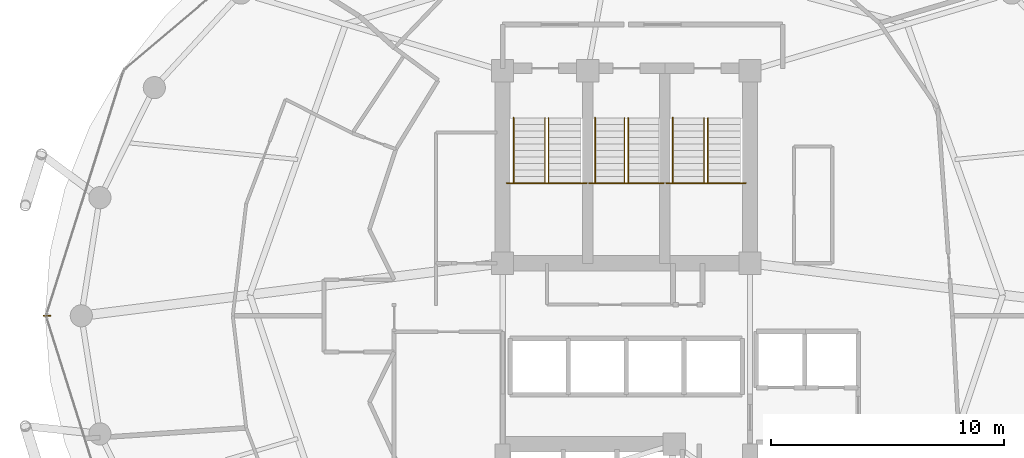
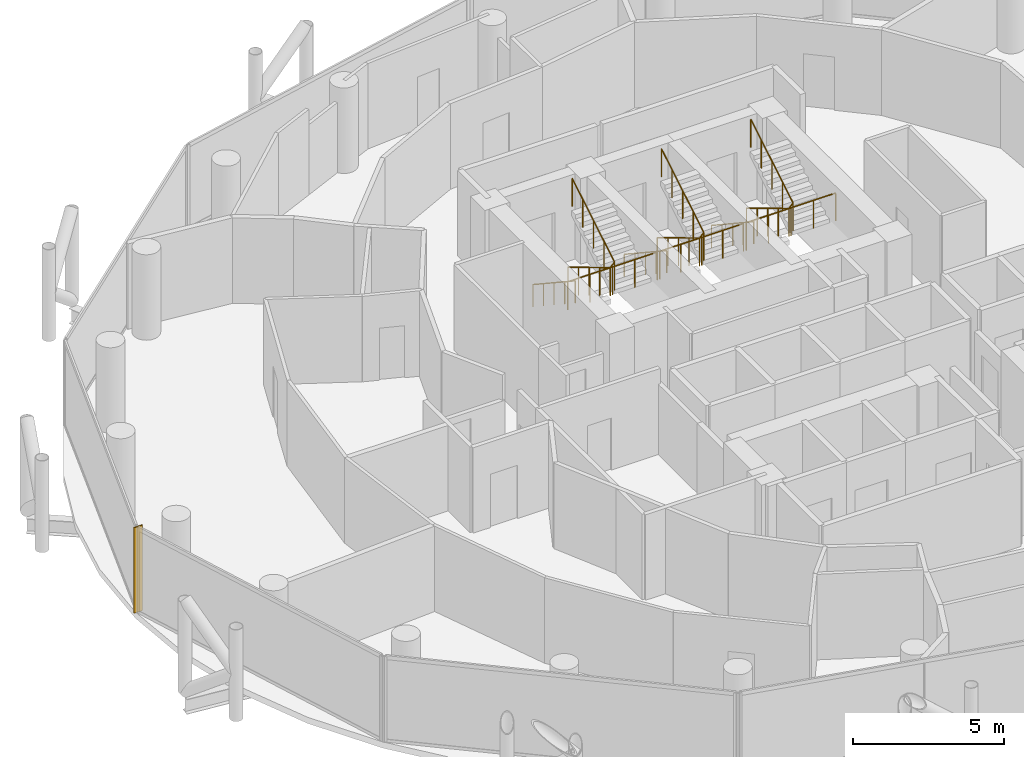
# One storey, part 26 of 27: 9 railings, 1 shading device.
"""IFC4 building model written with IfcOpenShell, lengths in metres."""

from ifc_helpers import new_model, si_unit, direction, frame, origin, origin_2d, place, context, subcontext, project, spatial, polyline, rectangle, outline, extrude, material, layer, layer_set, type_object, element, save


model = new_model("IFC4")

# Units and contexts
model_context = context("Model", 3, precision=1e-05, world=origin(), true_north=direction((0.0, 1.0)))
body_context = subcontext(model_context, "Body", "Model", "MODEL_VIEW")
ifc_project = project(units=[si_unit("LENGTHUNIT", "METRE"), si_unit("AREAUNIT", "SQUARE_METRE"), si_unit("VOLUMEUNIT", "CUBIC_METRE"), si_unit("PLANEANGLEUNIT", "RADIAN"), si_unit("MASSUNIT", "GRAM", prefix="KILO")], contexts=[model_context])

# Site, building, storey
site_placement = place(None, origin())
site = spatial("IfcSite", under=ifc_project, at=site_placement, CompositionType="ELEMENT")
building_placement = place(site_placement, origin())
building = spatial("IfcBuilding", under=site, at=building_placement, Name="Nuhasar Tower", CompositionType="ELEMENT")
storey_placement = place(building_placement, frame((0.0, 0.0, 158.949951171875)))
storey = spatial("IfcBuildingStorey", under=building, at=storey_placement, Name="L38", CompositionType="ELEMENT", Elevation=158.949951171875)

# Railings
ifc_material_1 = material(Name="Steel S355", Category="steel")
railing_type_1 = type_object("IfcRailingType", Name="RLG-STAIR-GUARD-1150", PredefinedType="GUARDRAIL", material=ifc_material_1)
railing_1_placement = place(storey_placement, frame((33.8798828125, 32.485107421875, 1.85009765625)))
element("IfcRailing", 1, at=railing_1_placement, inside=storey, type_object=railing_type_1, Name="L38 Stair ST-01 Guardrail LND", PredefinedType="GUARDRAIL", context=body_context, shape_type="SweptSolid", body=[
    extrude(outline(polyline([(0.024169921875, 0.0), (0.01708984375, 0.01708984375), (0.0, 0.024169921875), (-0.01708984375, 0.01708984375), (-0.024169921875, 0.0), (-0.01708984375, -0.01708984375), (0.0, -0.024169921875), (0.01708984375, -0.01708984375), (0.024169921875, 0.0)])), frame((0.0, 0.0, 1.1259765625), z_axis=(1.0, 0.0, 0.0), x_axis=(0.0, 1.0, 0.0)), (0.0, 0.0, 1.0), 3.420166015625),
    extrude(outline(polyline([(0.02099609375, 0.0), (0.014892578125, 0.014892578125), (0.0, 0.02099609375), (-0.014892578125, 0.014892578125), (-0.02099609375, 0.0), (-0.014892578125, -0.014892578125), (0.0, -0.02099609375), (0.014892578125, -0.014892578125), (0.02099609375, 0.0)])), origin(), (0.0, 0.0, 1.0), 1.101806640625),
    extrude(outline(polyline([(0.02099609375, 0.0), (0.014892578125, 0.014892578125), (0.0, 0.02099609375), (-0.014892578125, 0.014892578125), (-0.02099609375, 0.0), (-0.014892578125, -0.014892578125), (0.0, -0.02099609375), (0.014892578125, -0.014892578125), (0.02099609375, 0.0)])), frame((0.85498046875, 0.0, 0.0)), (0.0, 0.0, 1.0), 1.101806640625),
    extrude(outline(polyline([(0.02099609375, 0.0), (0.014892578125, 0.014892578125), (0.0, 0.02099609375), (-0.014892578125, 0.014892578125), (-0.02099609375, 0.0), (-0.014892578125, -0.014892578125), (0.0, -0.02099609375), (0.014892578125, -0.014892578125), (0.02099609375, 0.0)])), frame((1.7099609375, 0.0, 0.0)), (0.0, 0.0, 1.0), 1.101806640625),
    extrude(outline(polyline([(0.02099609375, 0.0), (0.014892578125, 0.014892578125), (0.0, 0.02099609375), (-0.014892578125, 0.014892578125), (-0.02099609375, 0.0), (-0.014892578125, -0.014892578125), (0.0, -0.02099609375), (0.014892578125, -0.014892578125), (0.02099609375, 0.0)])), frame((2.565185546875, 0.0, 0.0)), (0.0, 0.0, 1.0), 1.101806640625),
    extrude(outline(polyline([(0.02099609375, 0.0), (0.014892578125, 0.014892578125), (0.0, 0.02099609375), (-0.014892578125, 0.014892578125), (-0.02099609375, 0.0), (-0.014892578125, -0.014892578125), (0.0, -0.02099609375), (0.014892578125, -0.014892578125), (0.02099609375, 0.0)])), frame((3.420166015625, 0.0, 0.0)), (0.0, 0.0, 1.0), 1.101806640625),
])
railing_2_placement = place(storey_placement, frame((35.510009765625, 35.284912109375, 0.16796875)))
element("IfcRailing", 2, at=railing_2_placement, inside=storey, type_object=railing_type_1, Name="L38 Stair ST-01 Guardrail SLT", PredefinedType="GUARDRAIL", context=body_context, shape_type="SweptSolid", body=[
    extrude(outline(polyline([(0.024169921875, 0.0), (0.01708984375, 0.01708984375), (0.0, 0.024169921875), (-0.01708984375, 0.01708984375), (-0.024169921875, 0.0), (-0.01708984375, -0.01708984375), (0.0, -0.024169921875), (0.01708984375, -0.01708984375), (0.024169921875, 0.0)])), frame((0.0, 0.0, 1.1259765625), z_axis=(0.0, -0.857189395008, 0.515001302023), x_axis=(1.0, 0.0, 0.0)), (0.0, 0.0, 1.0), 3.266357421875),
    extrude(outline(polyline([(0.024169921875, 0.0), (0.01708984375, 0.01708984375), (0.0, 0.024169921875), (-0.01708984375, 0.01708984375), (-0.024169921875, 0.0), (-0.01708984375, -0.01708984375), (0.0, -0.024169921875), (0.01708984375, -0.01708984375), (0.024169921875, 0.0)])), frame((0.0, -2.7998046875, 2.80810546875), z_axis=(0.689523729023, 0.0, 0.72426309247), x_axis=(0.0, 1.0, 0.0)), (0.0, 0.0, 1.0), 0.23193359375),
    extrude(outline(polyline([(0.024169921875, 0.0), (0.01708984375, 0.01708984375), (0.0, 0.024169921875), (-0.01708984375, 0.01708984375), (-0.024169921875, 0.0), (-0.01708984375, -0.01708984375), (0.0, -0.024169921875), (0.01708984375, -0.01708984375), (0.024169921875, 0.0)])), frame((0.159912109375, -2.7998046875, 2.97607421875), z_axis=(0.0, 0.857222391501, 0.514946377315), x_axis=(-1.0, 0.0, 0.0)), (0.0, 0.0, 1.0), 3.26611328125),
    extrude(outline(polyline([(0.02099609375, 0.0), (0.014892578125, 0.014892578125), (0.0, 0.02099609375), (-0.014892578125, 0.014892578125), (-0.02099609375, 0.0), (-0.014892578125, -0.014892578125), (0.0, -0.02099609375), (0.014892578125, -0.014892578125), (0.02099609375, 0.0)])), origin(), (0.0, 0.0, 1.0), 1.101806640625),
    extrude(outline(polyline([(0.02099609375, 0.0), (0.014892578125, 0.014892578125), (0.0, 0.02099609375), (-0.014892578125, 0.014892578125), (-0.02099609375, 0.0), (-0.014892578125, -0.014892578125), (0.0, -0.02099609375), (0.014892578125, -0.014892578125), (0.02099609375, 0.0)])), frame((0.0, -0.699951171875, 0.42041015625)), (0.0, 0.0, 1.0), 1.101806640625),
    extrude(outline(polyline([(0.02099609375, 0.0), (0.014892578125, 0.014892578125), (0.0, 0.02099609375), (-0.014892578125, 0.014892578125), (-0.02099609375, 0.0), (-0.014892578125, -0.014892578125), (0.0, -0.02099609375), (0.014892578125, -0.014892578125), (0.02099609375, 0.0)])), frame((0.0, -1.39990234375, 0.841064453125)), (0.0, 0.0, 1.0), 1.101806640625),
    extrude(outline(polyline([(0.02099609375, 0.0), (0.014892578125, 0.014892578125), (0.0, 0.02099609375), (-0.014892578125, 0.014892578125), (-0.02099609375, 0.0), (-0.014892578125, -0.014892578125), (0.0, -0.02099609375), (0.014892578125, -0.014892578125), (0.02099609375, 0.0)])), frame((0.0, -2.099853515625, 1.26171875)), (0.0, 0.0, 1.0), 1.101806640625),
    extrude(outline(polyline([(0.02099609375, 0.0), (0.014892578125, 0.014892578125), (0.0, 0.02099609375), (-0.014892578125, 0.014892578125), (-0.02099609375, 0.0), (-0.014892578125, -0.014892578125), (0.0, -0.02099609375), (0.014892578125, -0.014892578125), (0.02099609375, 0.0)])), frame((0.0, -2.7998046875, 1.68212890625)), (0.0, 0.0, 1.0), 1.101806640625),
    extrude(outline(polyline([(0.02099609375, 0.0), (0.014892578125, 0.014892578125), (0.0, 0.02099609375), (-0.014892578125, 0.014892578125), (-0.02099609375, 0.0), (-0.014892578125, -0.014892578125), (0.0, -0.02099609375), (0.014892578125, -0.014892578125), (0.02099609375, 0.0)])), frame((0.159912109375, -2.7998046875, 1.85009765625)), (0.0, 0.0, 1.0), 1.101806640625),
    extrude(outline(polyline([(0.02099609375, 0.0), (0.014892578125, 0.014892578125), (0.0, 0.02099609375), (-0.014892578125, 0.014892578125), (-0.02099609375, 0.0), (-0.014892578125, -0.014892578125), (0.0, -0.02099609375), (0.014892578125, -0.014892578125), (0.02099609375, 0.0)])), frame((0.159912109375, -2.099853515625, 2.2705078125)), (0.0, 0.0, 1.0), 1.101806640625),
    extrude(outline(polyline([(0.02099609375, 0.0), (0.014892578125, 0.014892578125), (0.0, 0.02099609375), (-0.014892578125, 0.014892578125), (-0.02099609375, 0.0), (-0.014892578125, -0.014892578125), (0.0, -0.02099609375), (0.014892578125, -0.014892578125), (0.02099609375, 0.0)])), frame((0.159912109375, -1.39990234375, 2.69091796875)), (0.0, 0.0, 1.0), 1.101806640625),
    extrude(outline(polyline([(0.02099609375, 0.0), (0.014892578125, 0.014892578125), (0.0, 0.02099609375), (-0.014892578125, 0.014892578125), (-0.02099609375, 0.0), (-0.014892578125, -0.014892578125), (0.0, -0.02099609375), (0.014892578125, -0.014892578125), (0.02099609375, 0.0)])), frame((0.159912109375, -0.699951171875, 3.111572265625)), (0.0, 0.0, 1.0), 1.101806640625),
    extrude(outline(polyline([(0.02099609375, 0.0), (0.014892578125, 0.014892578125), (0.0, 0.02099609375), (-0.014892578125, 0.014892578125), (-0.02099609375, 0.0), (-0.014892578125, -0.014892578125), (0.0, -0.02099609375), (0.014892578125, -0.014892578125), (0.02099609375, 0.0)])), frame((0.159912109375, 0.0, 3.531982421875)), (0.0, 0.0, 1.0), 1.101806640625),
])
railing_3_placement = place(storey_placement, frame((37.39990234375, 32.485107421875, 1.85009765625)))
element("IfcRailing", 3, at=railing_3_placement, inside=storey, type_object=railing_type_1, Name="L38 Stair ST-03 Guardrail LND", PredefinedType="GUARDRAIL", context=body_context, shape_type="SweptSolid", body=[
    extrude(outline(polyline([(0.024169921875, 0.0), (0.01708984375, 0.01708984375), (0.0, 0.024169921875), (-0.01708984375, 0.01708984375), (-0.024169921875, 0.0), (-0.01708984375, -0.01708984375), (0.0, -0.024169921875), (0.01708984375, -0.01708984375), (0.024169921875, 0.0)])), frame((0.0, 0.0, 1.1259765625), z_axis=(1.0, 0.0, 0.0), x_axis=(0.0, 1.0, 0.0)), (0.0, 0.0, 1.0), 3.2001953125),
    extrude(outline(polyline([(0.02099609375, 0.0), (0.014892578125, 0.014892578125), (0.0, 0.02099609375), (-0.014892578125, 0.014892578125), (-0.02099609375, 0.0), (-0.014892578125, -0.014892578125), (0.0, -0.02099609375), (0.014892578125, -0.014892578125), (0.02099609375, 0.0)])), origin(), (0.0, 0.0, 1.0), 1.101806640625),
    extrude(outline(polyline([(0.02099609375, 0.0), (0.014892578125, 0.014892578125), (0.0, 0.02099609375), (-0.014892578125, 0.014892578125), (-0.02099609375, 0.0), (-0.014892578125, -0.014892578125), (0.0, -0.02099609375), (0.014892578125, -0.014892578125), (0.02099609375, 0.0)])), frame((0.800048828125, 0.0, 0.0)), (0.0, 0.0, 1.0), 1.101806640625),
    extrude(outline(polyline([(0.02099609375, 0.0), (0.014892578125, 0.014892578125), (0.0, 0.02099609375), (-0.014892578125, 0.014892578125), (-0.02099609375, 0.0), (-0.014892578125, -0.014892578125), (0.0, -0.02099609375), (0.014892578125, -0.014892578125), (0.02099609375, 0.0)])), frame((1.60009765625, 0.0, 0.0)), (0.0, 0.0, 1.0), 1.101806640625),
    extrude(outline(polyline([(0.02099609375, 0.0), (0.014892578125, 0.014892578125), (0.0, 0.02099609375), (-0.014892578125, 0.014892578125), (-0.02099609375, 0.0), (-0.014892578125, -0.014892578125), (0.0, -0.02099609375), (0.014892578125, -0.014892578125), (0.02099609375, 0.0)])), frame((2.400146484375, 0.0, 0.0)), (0.0, 0.0, 1.0), 1.101806640625),
    extrude(outline(polyline([(0.02099609375, 0.0), (0.014892578125, 0.014892578125), (0.0, 0.02099609375), (-0.014892578125, 0.014892578125), (-0.02099609375, 0.0), (-0.014892578125, -0.014892578125), (0.0, -0.02099609375), (0.014892578125, -0.014892578125), (0.02099609375, 0.0)])), frame((3.2001953125, 0.0, 0.0)), (0.0, 0.0, 1.0), 1.101806640625),
])
railing_4_placement = place(storey_placement, frame((38.919921875, 35.284912109375, 0.16796875)))
element("IfcRailing", 4, at=railing_4_placement, inside=storey, type_object=railing_type_1, Name="L38 Stair ST-03 Guardrail SLT", PredefinedType="GUARDRAIL", context=body_context, shape_type="SweptSolid", body=[
    extrude(outline(polyline([(0.024169921875, 0.0), (0.01708984375, 0.01708984375), (0.0, 0.024169921875), (-0.01708984375, 0.01708984375), (-0.024169921875, 0.0), (-0.01708984375, -0.01708984375), (0.0, -0.024169921875), (0.01708984375, -0.01708984375), (0.024169921875, 0.0)])), frame((0.0, 0.0, 1.1259765625), z_axis=(0.0, -0.857189395008, 0.515001302023), x_axis=(1.0, 0.0, 0.0)), (0.0, 0.0, 1.0), 3.266357421875),
    extrude(outline(polyline([(0.024169921875, 0.0), (0.01708984375, 0.01708984375), (0.0, 0.024169921875), (-0.01708984375, 0.01708984375), (-0.024169921875, 0.0), (-0.01708984375, -0.01708984375), (0.0, -0.024169921875), (0.01708984375, -0.01708984375), (0.024169921875, 0.0)])), frame((0.0, -2.7998046875, 2.80810546875), z_axis=(0.690075333573, 0.0, 0.723737544967), x_axis=(0.0, 1.0, 0.0)), (0.0, 0.0, 1.0), 0.232177734375),
    extrude(outline(polyline([(0.024169921875, 0.0), (0.01708984375, 0.01708984375), (0.0, 0.024169921875), (-0.01708984375, 0.01708984375), (-0.024169921875, 0.0), (-0.01708984375, -0.01708984375), (0.0, -0.024169921875), (0.01708984375, -0.01708984375), (0.024169921875, 0.0)])), frame((0.16015625, -2.7998046875, 2.97607421875), z_axis=(0.0, 0.857222391501, 0.514946377315), x_axis=(-1.0, 0.0, 0.0)), (0.0, 0.0, 1.0), 3.26611328125),
    extrude(outline(polyline([(0.02099609375, 0.0), (0.014892578125, 0.014892578125), (0.0, 0.02099609375), (-0.014892578125, 0.014892578125), (-0.02099609375, 0.0), (-0.014892578125, -0.014892578125), (0.0, -0.02099609375), (0.014892578125, -0.014892578125), (0.02099609375, 0.0)])), origin(), (0.0, 0.0, 1.0), 1.101806640625),
    extrude(outline(polyline([(0.02099609375, 0.0), (0.014892578125, 0.014892578125), (0.0, 0.02099609375), (-0.014892578125, 0.014892578125), (-0.02099609375, 0.0), (-0.014892578125, -0.014892578125), (0.0, -0.02099609375), (0.014892578125, -0.014892578125), (0.02099609375, 0.0)])), frame((0.0, -0.699951171875, 0.42041015625)), (0.0, 0.0, 1.0), 1.101806640625),
    extrude(outline(polyline([(0.02099609375, 0.0), (0.014892578125, 0.014892578125), (0.0, 0.02099609375), (-0.014892578125, 0.014892578125), (-0.02099609375, 0.0), (-0.014892578125, -0.014892578125), (0.0, -0.02099609375), (0.014892578125, -0.014892578125), (0.02099609375, 0.0)])), frame((0.0, -1.39990234375, 0.841064453125)), (0.0, 0.0, 1.0), 1.101806640625),
    extrude(outline(polyline([(0.02099609375, 0.0), (0.014892578125, 0.014892578125), (0.0, 0.02099609375), (-0.014892578125, 0.014892578125), (-0.02099609375, 0.0), (-0.014892578125, -0.014892578125), (0.0, -0.02099609375), (0.014892578125, -0.014892578125), (0.02099609375, 0.0)])), frame((0.0, -2.099853515625, 1.26171875)), (0.0, 0.0, 1.0), 1.101806640625),
    extrude(outline(polyline([(0.02099609375, 0.0), (0.014892578125, 0.014892578125), (0.0, 0.02099609375), (-0.014892578125, 0.014892578125), (-0.02099609375, 0.0), (-0.014892578125, -0.014892578125), (0.0, -0.02099609375), (0.014892578125, -0.014892578125), (0.02099609375, 0.0)])), frame((0.0, -2.7998046875, 1.68212890625)), (0.0, 0.0, 1.0), 1.101806640625),
    extrude(outline(polyline([(0.02099609375, 0.0), (0.014892578125, 0.014892578125), (0.0, 0.02099609375), (-0.014892578125, 0.014892578125), (-0.02099609375, 0.0), (-0.014892578125, -0.014892578125), (0.0, -0.02099609375), (0.014892578125, -0.014892578125), (0.02099609375, 0.0)])), frame((0.16015625, -2.7998046875, 1.85009765625)), (0.0, 0.0, 1.0), 1.101806640625),
    extrude(outline(polyline([(0.02099609375, 0.0), (0.014892578125, 0.014892578125), (0.0, 0.02099609375), (-0.014892578125, 0.014892578125), (-0.02099609375, 0.0), (-0.014892578125, -0.014892578125), (0.0, -0.02099609375), (0.014892578125, -0.014892578125), (0.02099609375, 0.0)])), frame((0.16015625, -2.099853515625, 2.2705078125)), (0.0, 0.0, 1.0), 1.101806640625),
    extrude(outline(polyline([(0.02099609375, 0.0), (0.014892578125, 0.014892578125), (0.0, 0.02099609375), (-0.014892578125, 0.014892578125), (-0.02099609375, 0.0), (-0.014892578125, -0.014892578125), (0.0, -0.02099609375), (0.014892578125, -0.014892578125), (0.02099609375, 0.0)])), frame((0.16015625, -1.39990234375, 2.69091796875)), (0.0, 0.0, 1.0), 1.101806640625),
    extrude(outline(polyline([(0.02099609375, 0.0), (0.014892578125, 0.014892578125), (0.0, 0.02099609375), (-0.014892578125, 0.014892578125), (-0.02099609375, 0.0), (-0.014892578125, -0.014892578125), (0.0, -0.02099609375), (0.014892578125, -0.014892578125), (0.02099609375, 0.0)])), frame((0.16015625, -0.699951171875, 3.111572265625)), (0.0, 0.0, 1.0), 1.101806640625),
    extrude(outline(polyline([(0.02099609375, 0.0), (0.014892578125, 0.014892578125), (0.0, 0.02099609375), (-0.014892578125, 0.014892578125), (-0.02099609375, 0.0), (-0.014892578125, -0.014892578125), (0.0, -0.02099609375), (0.014892578125, -0.014892578125), (0.02099609375, 0.0)])), frame((0.16015625, 0.0, 3.531982421875)), (0.0, 0.0, 1.0), 1.101806640625),
])
railing_5_placement = place(storey_placement, frame((40.699951171875, 32.485107421875, 1.85009765625)))
element("IfcRailing", 5, at=railing_5_placement, inside=storey, type_object=railing_type_1, Name="L38 Stair ST-02 Guardrail LND", PredefinedType="GUARDRAIL", context=body_context, shape_type="SweptSolid", body=[
    extrude(outline(polyline([(0.024169921875, 0.0), (0.01708984375, 0.01708984375), (0.0, 0.024169921875), (-0.01708984375, 0.01708984375), (-0.024169921875, 0.0), (-0.01708984375, -0.01708984375), (0.0, -0.024169921875), (0.01708984375, -0.01708984375), (0.024169921875, 0.0)])), frame((0.0, 0.0, 1.1259765625), z_axis=(1.0, 0.0, 0.0), x_axis=(0.0, 1.0, 0.0)), (0.0, 0.0, 1.0), 3.420166015625),
    extrude(outline(polyline([(0.02099609375, 0.0), (0.014892578125, 0.014892578125), (0.0, 0.02099609375), (-0.014892578125, 0.014892578125), (-0.02099609375, 0.0), (-0.014892578125, -0.014892578125), (0.0, -0.02099609375), (0.014892578125, -0.014892578125), (0.02099609375, 0.0)])), origin(), (0.0, 0.0, 1.0), 1.101806640625),
    extrude(outline(polyline([(0.02099609375, 0.0), (0.014892578125, 0.014892578125), (0.0, 0.02099609375), (-0.014892578125, 0.014892578125), (-0.02099609375, 0.0), (-0.014892578125, -0.014892578125), (0.0, -0.02099609375), (0.014892578125, -0.014892578125), (0.02099609375, 0.0)])), frame((0.85498046875, 0.0, 0.0)), (0.0, 0.0, 1.0), 1.101806640625),
    extrude(outline(polyline([(0.02099609375, 0.0), (0.014892578125, 0.014892578125), (0.0, 0.02099609375), (-0.014892578125, 0.014892578125), (-0.02099609375, 0.0), (-0.014892578125, -0.014892578125), (0.0, -0.02099609375), (0.014892578125, -0.014892578125), (0.02099609375, 0.0)])), frame((1.7099609375, 0.0, 0.0)), (0.0, 0.0, 1.0), 1.101806640625),
    extrude(outline(polyline([(0.02099609375, 0.0), (0.014892578125, 0.014892578125), (0.0, 0.02099609375), (-0.014892578125, 0.014892578125), (-0.02099609375, 0.0), (-0.014892578125, -0.014892578125), (0.0, -0.02099609375), (0.014892578125, -0.014892578125), (0.02099609375, 0.0)])), frame((2.565185546875, 0.0, 0.0)), (0.0, 0.0, 1.0), 1.101806640625),
    extrude(outline(polyline([(0.02099609375, 0.0), (0.014892578125, 0.014892578125), (0.0, 0.02099609375), (-0.014892578125, 0.014892578125), (-0.02099609375, 0.0), (-0.014892578125, -0.014892578125), (0.0, -0.02099609375), (0.014892578125, -0.014892578125), (0.02099609375, 0.0)])), frame((3.420166015625, 0.0, 0.0)), (0.0, 0.0, 1.0), 1.101806640625),
])
railing_6_placement = place(storey_placement, frame((42.330078125, 35.284912109375, 0.16796875)))
element("IfcRailing", 6, at=railing_6_placement, inside=storey, type_object=railing_type_1, Name="L38 Stair ST-02 Guardrail SLT", PredefinedType="GUARDRAIL", context=body_context, shape_type="SweptSolid", body=[
    extrude(outline(polyline([(0.024169921875, 0.0), (0.01708984375, 0.01708984375), (0.0, 0.024169921875), (-0.01708984375, 0.01708984375), (-0.024169921875, 0.0), (-0.01708984375, -0.01708984375), (0.0, -0.024169921875), (0.01708984375, -0.01708984375), (0.024169921875, 0.0)])), frame((0.0, 0.0, 1.1259765625), z_axis=(0.0, -0.857189395008, 0.515001302023), x_axis=(1.0, 0.0, 0.0)), (0.0, 0.0, 1.0), 3.266357421875),
    extrude(outline(polyline([(0.024169921875, 0.0), (0.01708984375, 0.01708984375), (0.0, 0.024169921875), (-0.01708984375, 0.01708984375), (-0.024169921875, 0.0), (-0.01708984375, -0.01708984375), (0.0, -0.024169921875), (0.01708984375, -0.01708984375), (0.024169921875, 0.0)])), frame((0.0, -2.7998046875, 2.80810546875), z_axis=(0.689523729023, 0.0, 0.72426309247), x_axis=(0.0, 1.0, 0.0)), (0.0, 0.0, 1.0), 0.23193359375),
    extrude(outline(polyline([(0.024169921875, 0.0), (0.01708984375, 0.01708984375), (0.0, 0.024169921875), (-0.01708984375, 0.01708984375), (-0.024169921875, 0.0), (-0.01708984375, -0.01708984375), (0.0, -0.024169921875), (0.01708984375, -0.01708984375), (0.024169921875, 0.0)])), frame((0.159912109375, -2.7998046875, 2.97607421875), z_axis=(0.0, 0.857222391501, 0.514946377315), x_axis=(-1.0, 0.0, 0.0)), (0.0, 0.0, 1.0), 3.26611328125),
    extrude(outline(polyline([(0.02099609375, 0.0), (0.014892578125, 0.014892578125), (0.0, 0.02099609375), (-0.014892578125, 0.014892578125), (-0.02099609375, 0.0), (-0.014892578125, -0.014892578125), (0.0, -0.02099609375), (0.014892578125, -0.014892578125), (0.02099609375, 0.0)])), origin(), (0.0, 0.0, 1.0), 1.101806640625),
    extrude(outline(polyline([(0.02099609375, 0.0), (0.014892578125, 0.014892578125), (0.0, 0.02099609375), (-0.014892578125, 0.014892578125), (-0.02099609375, 0.0), (-0.014892578125, -0.014892578125), (0.0, -0.02099609375), (0.014892578125, -0.014892578125), (0.02099609375, 0.0)])), frame((0.0, -0.699951171875, 0.42041015625)), (0.0, 0.0, 1.0), 1.101806640625),
    extrude(outline(polyline([(0.02099609375, 0.0), (0.014892578125, 0.014892578125), (0.0, 0.02099609375), (-0.014892578125, 0.014892578125), (-0.02099609375, 0.0), (-0.014892578125, -0.014892578125), (0.0, -0.02099609375), (0.014892578125, -0.014892578125), (0.02099609375, 0.0)])), frame((0.0, -1.39990234375, 0.841064453125)), (0.0, 0.0, 1.0), 1.101806640625),
    extrude(outline(polyline([(0.02099609375, 0.0), (0.014892578125, 0.014892578125), (0.0, 0.02099609375), (-0.014892578125, 0.014892578125), (-0.02099609375, 0.0), (-0.014892578125, -0.014892578125), (0.0, -0.02099609375), (0.014892578125, -0.014892578125), (0.02099609375, 0.0)])), frame((0.0, -2.099853515625, 1.26171875)), (0.0, 0.0, 1.0), 1.101806640625),
    extrude(outline(polyline([(0.02099609375, 0.0), (0.014892578125, 0.014892578125), (0.0, 0.02099609375), (-0.014892578125, 0.014892578125), (-0.02099609375, 0.0), (-0.014892578125, -0.014892578125), (0.0, -0.02099609375), (0.014892578125, -0.014892578125), (0.02099609375, 0.0)])), frame((0.0, -2.7998046875, 1.68212890625)), (0.0, 0.0, 1.0), 1.101806640625),
    extrude(outline(polyline([(0.02099609375, 0.0), (0.014892578125, 0.014892578125), (0.0, 0.02099609375), (-0.014892578125, 0.014892578125), (-0.02099609375, 0.0), (-0.014892578125, -0.014892578125), (0.0, -0.02099609375), (0.014892578125, -0.014892578125), (0.02099609375, 0.0)])), frame((0.159912109375, -2.7998046875, 1.85009765625)), (0.0, 0.0, 1.0), 1.101806640625),
    extrude(outline(polyline([(0.02099609375, 0.0), (0.014892578125, 0.014892578125), (0.0, 0.02099609375), (-0.014892578125, 0.014892578125), (-0.02099609375, 0.0), (-0.014892578125, -0.014892578125), (0.0, -0.02099609375), (0.014892578125, -0.014892578125), (0.02099609375, 0.0)])), frame((0.159912109375, -2.099853515625, 2.2705078125)), (0.0, 0.0, 1.0), 1.101806640625),
    extrude(outline(polyline([(0.02099609375, 0.0), (0.014892578125, 0.014892578125), (0.0, 0.02099609375), (-0.014892578125, 0.014892578125), (-0.02099609375, 0.0), (-0.014892578125, -0.014892578125), (0.0, -0.02099609375), (0.014892578125, -0.014892578125), (0.02099609375, 0.0)])), frame((0.159912109375, -1.39990234375, 2.69091796875)), (0.0, 0.0, 1.0), 1.101806640625),
    extrude(outline(polyline([(0.02099609375, 0.0), (0.014892578125, 0.014892578125), (0.0, 0.02099609375), (-0.014892578125, 0.014892578125), (-0.02099609375, 0.0), (-0.014892578125, -0.014892578125), (0.0, -0.02099609375), (0.014892578125, -0.014892578125), (0.02099609375, 0.0)])), frame((0.159912109375, -0.699951171875, 3.111572265625)), (0.0, 0.0, 1.0), 1.101806640625),
    extrude(outline(polyline([(0.02099609375, 0.0), (0.014892578125, 0.014892578125), (0.0, 0.02099609375), (-0.014892578125, 0.014892578125), (-0.02099609375, 0.0), (-0.014892578125, -0.014892578125), (0.0, -0.02099609375), (0.014892578125, -0.014892578125), (0.02099609375, 0.0)])), frame((0.159912109375, 0.0, 3.531982421875)), (0.0, 0.0, 1.0), 1.101806640625),
])
ifc_material_2 = material(Name="Stainless Steel 316L", Category="steel")
railing_type_2 = type_object("IfcRailingType", Name="RLG-STAIR-HAND-920", PredefinedType="HANDRAIL", material=ifc_material_2)
railing_7_placement = place(storey_placement, frame((34.169921875, 35.284912109375, 0.16796875)))
element("IfcRailing", 7, at=railing_7_placement, inside=storey, type_object=railing_type_2, Name="L38 Stair ST-01 Handrail HND1", PredefinedType="HANDRAIL", context=body_context, shape_type="SweptSolid", body=[
    extrude(outline(polyline([(0.024169921875, 0.0), (0.01708984375, 0.01708984375), (0.0, 0.024169921875), (-0.01708984375, 0.01708984375), (-0.024169921875, 0.0), (-0.01708984375, -0.01708984375), (0.0, -0.024169921875), (0.01708984375, -0.01708984375), (0.024169921875, 0.0)])), frame((0.0, 0.0, 0.89599609375), z_axis=(0.0, -0.834304248922, 0.551304290053), x_axis=(1.0, 0.0, 0.0)), (0.0, 0.0, 1.0), 3.35595703125),
    extrude(outline(polyline([(0.02099609375, 0.0), (0.014892578125, 0.014892578125), (0.0, 0.02099609375), (-0.014892578125, 0.014892578125), (-0.02099609375, 0.0), (-0.014892578125, -0.014892578125), (0.0, -0.02099609375), (0.014892578125, -0.014892578125), (0.02099609375, 0.0)])), origin(), (0.0, 0.0, 1.0), 0.871826171875),
    extrude(outline(polyline([(0.02099609375, 0.0), (0.014892578125, 0.014892578125), (0.0, 0.02099609375), (-0.014892578125, 0.014892578125), (-0.02099609375, 0.0), (-0.014892578125, -0.014892578125), (0.0, -0.02099609375), (0.014892578125, -0.014892578125), (0.02099609375, 0.0)])), frame((0.0, -0.699951171875, 0.46240234375)), (0.0, 0.0, 1.0), 0.871826171875),
    extrude(outline(polyline([(0.02099609375, 0.0), (0.014892578125, 0.014892578125), (0.0, 0.02099609375), (-0.014892578125, 0.014892578125), (-0.02099609375, 0.0), (-0.014892578125, -0.014892578125), (0.0, -0.02099609375), (0.014892578125, -0.014892578125), (0.02099609375, 0.0)])), frame((0.0, -1.39990234375, 0.925048828125)), (0.0, 0.0, 1.0), 0.871826171875),
    extrude(outline(polyline([(0.02099609375, 0.0), (0.014892578125, 0.014892578125), (0.0, 0.02099609375), (-0.014892578125, 0.014892578125), (-0.02099609375, 0.0), (-0.014892578125, -0.014892578125), (0.0, -0.02099609375), (0.014892578125, -0.014892578125), (0.02099609375, 0.0)])), frame((0.0, -2.099853515625, 1.3876953125)), (0.0, 0.0, 1.0), 0.871826171875),
    extrude(outline(polyline([(0.02099609375, 0.0), (0.014892578125, 0.014892578125), (0.0, 0.02099609375), (-0.014892578125, 0.014892578125), (-0.02099609375, 0.0), (-0.014892578125, -0.014892578125), (0.0, -0.02099609375), (0.014892578125, -0.014892578125), (0.02099609375, 0.0)])), frame((0.0, -2.7998046875, 1.85009765625)), (0.0, 0.0, 1.0), 0.871826171875),
])
railing_8_placement = place(storey_placement, frame((37.659912109375, 35.284912109375, 0.16796875)))
element("IfcRailing", 8, at=railing_8_placement, inside=storey, type_object=railing_type_2, Name="L38 Stair ST-03 Handrail HND1", PredefinedType="HANDRAIL", context=body_context, shape_type="SweptSolid", body=[
    extrude(outline(polyline([(0.024169921875, 0.0), (0.01708984375, 0.01708984375), (0.0, 0.024169921875), (-0.01708984375, 0.01708984375), (-0.024169921875, 0.0), (-0.01708984375, -0.01708984375), (0.0, -0.024169921875), (0.01708984375, -0.01708984375), (0.024169921875, 0.0)])), frame((0.0, 0.0, 0.89599609375), z_axis=(0.0, -0.834304248922, 0.551304290053), x_axis=(1.0, 0.0, 0.0)), (0.0, 0.0, 1.0), 3.35595703125),
    extrude(outline(polyline([(0.02099609375, 0.0), (0.014892578125, 0.014892578125), (0.0, 0.02099609375), (-0.014892578125, 0.014892578125), (-0.02099609375, 0.0), (-0.014892578125, -0.014892578125), (0.0, -0.02099609375), (0.014892578125, -0.014892578125), (0.02099609375, 0.0)])), origin(), (0.0, 0.0, 1.0), 0.871826171875),
    extrude(outline(polyline([(0.02099609375, 0.0), (0.014892578125, 0.014892578125), (0.0, 0.02099609375), (-0.014892578125, 0.014892578125), (-0.02099609375, 0.0), (-0.014892578125, -0.014892578125), (0.0, -0.02099609375), (0.014892578125, -0.014892578125), (0.02099609375, 0.0)])), frame((0.0, -0.699951171875, 0.46240234375)), (0.0, 0.0, 1.0), 0.871826171875),
    extrude(outline(polyline([(0.02099609375, 0.0), (0.014892578125, 0.014892578125), (0.0, 0.02099609375), (-0.014892578125, 0.014892578125), (-0.02099609375, 0.0), (-0.014892578125, -0.014892578125), (0.0, -0.02099609375), (0.014892578125, -0.014892578125), (0.02099609375, 0.0)])), frame((0.0, -1.39990234375, 0.925048828125)), (0.0, 0.0, 1.0), 0.871826171875),
    extrude(outline(polyline([(0.02099609375, 0.0), (0.014892578125, 0.014892578125), (0.0, 0.02099609375), (-0.014892578125, 0.014892578125), (-0.02099609375, 0.0), (-0.014892578125, -0.014892578125), (0.0, -0.02099609375), (0.014892578125, -0.014892578125), (0.02099609375, 0.0)])), frame((0.0, -2.099853515625, 1.3876953125)), (0.0, 0.0, 1.0), 0.871826171875),
    extrude(outline(polyline([(0.02099609375, 0.0), (0.014892578125, 0.014892578125), (0.0, 0.02099609375), (-0.014892578125, 0.014892578125), (-0.02099609375, 0.0), (-0.014892578125, -0.014892578125), (0.0, -0.02099609375), (0.014892578125, -0.014892578125), (0.02099609375, 0.0)])), frame((0.0, -2.7998046875, 1.85009765625)), (0.0, 0.0, 1.0), 0.871826171875),
])
railing_9_placement = place(storey_placement, frame((40.989990234375, 35.284912109375, 0.16796875)))
element("IfcRailing", 9, at=railing_9_placement, inside=storey, type_object=railing_type_2, Name="L38 Stair ST-02 Handrail HND1", PredefinedType="HANDRAIL", context=body_context, shape_type="SweptSolid", body=[
    extrude(outline(polyline([(0.024169921875, 0.0), (0.01708984375, 0.01708984375), (0.0, 0.024169921875), (-0.01708984375, 0.01708984375), (-0.024169921875, 0.0), (-0.01708984375, -0.01708984375), (0.0, -0.024169921875), (0.01708984375, -0.01708984375), (0.024169921875, 0.0)])), frame((0.0, 0.0, 0.89599609375), z_axis=(0.0, -0.834304248922, 0.551304290053), x_axis=(1.0, 0.0, 0.0)), (0.0, 0.0, 1.0), 3.35595703125),
    extrude(outline(polyline([(0.02099609375, 0.0), (0.014892578125, 0.014892578125), (0.0, 0.02099609375), (-0.014892578125, 0.014892578125), (-0.02099609375, 0.0), (-0.014892578125, -0.014892578125), (0.0, -0.02099609375), (0.014892578125, -0.014892578125), (0.02099609375, 0.0)])), origin(), (0.0, 0.0, 1.0), 0.871826171875),
    extrude(outline(polyline([(0.02099609375, 0.0), (0.014892578125, 0.014892578125), (0.0, 0.02099609375), (-0.014892578125, 0.014892578125), (-0.02099609375, 0.0), (-0.014892578125, -0.014892578125), (0.0, -0.02099609375), (0.014892578125, -0.014892578125), (0.02099609375, 0.0)])), frame((0.0, -0.699951171875, 0.46240234375)), (0.0, 0.0, 1.0), 0.871826171875),
    extrude(outline(polyline([(0.02099609375, 0.0), (0.014892578125, 0.014892578125), (0.0, 0.02099609375), (-0.014892578125, 0.014892578125), (-0.02099609375, 0.0), (-0.014892578125, -0.014892578125), (0.0, -0.02099609375), (0.014892578125, -0.014892578125), (0.02099609375, 0.0)])), frame((0.0, -1.39990234375, 0.925048828125)), (0.0, 0.0, 1.0), 0.871826171875),
    extrude(outline(polyline([(0.02099609375, 0.0), (0.014892578125, 0.014892578125), (0.0, 0.02099609375), (-0.014892578125, 0.014892578125), (-0.02099609375, 0.0), (-0.014892578125, -0.014892578125), (0.0, -0.02099609375), (0.014892578125, -0.014892578125), (0.02099609375, 0.0)])), frame((0.0, -2.099853515625, 1.3876953125)), (0.0, 0.0, 1.0), 0.871826171875),
    extrude(outline(polyline([(0.02099609375, 0.0), (0.014892578125, 0.014892578125), (0.0, 0.02099609375), (-0.014892578125, 0.014892578125), (-0.02099609375, 0.0), (-0.014892578125, -0.014892578125), (0.0, -0.02099609375), (0.014892578125, -0.014892578125), (0.02099609375, 0.0)])), frame((0.0, -2.7998046875, 1.85009765625)), (0.0, 0.0, 1.0), 0.871826171875),
])

# Shading device
ifc_material_3 = material(Name="Aluminium 6063-T6", Category="aluminium")
ifc_layer = layer(ifc_material_3, 0.044921875)
ifc_layer_set = layer_set([ifc_layer], Name="Aluminium 6063-T6")
shading_device_type = type_object("IfcShadingDeviceType", Name="SHD-FIN-320", PredefinedType="JALOUSIE", material=ifc_layer_set)
shading_device_placement = place(storey_placement, frame((14.18994140625, 26.800048828125, 0.0), z_axis=(0.0, 0.0, 1.0), x_axis=(-1.0, 0.0, 0.0)))
element("IfcShadingDevice", 10, at=shading_device_placement, inside=storey, type_object=shading_device_type, Name="L38 Solar Mashrabiya Fin 02", PredefinedType="JALOUSIE", context=body_context, shape_type="SweptSolid", body=[
    extrude(rectangle(XDim=0.320068359375, YDim=0.044921875, at=origin_2d()), origin(), (0.0, 0.0, 1.0), 3.449951171875),
])

save(model, "model.ifc")
